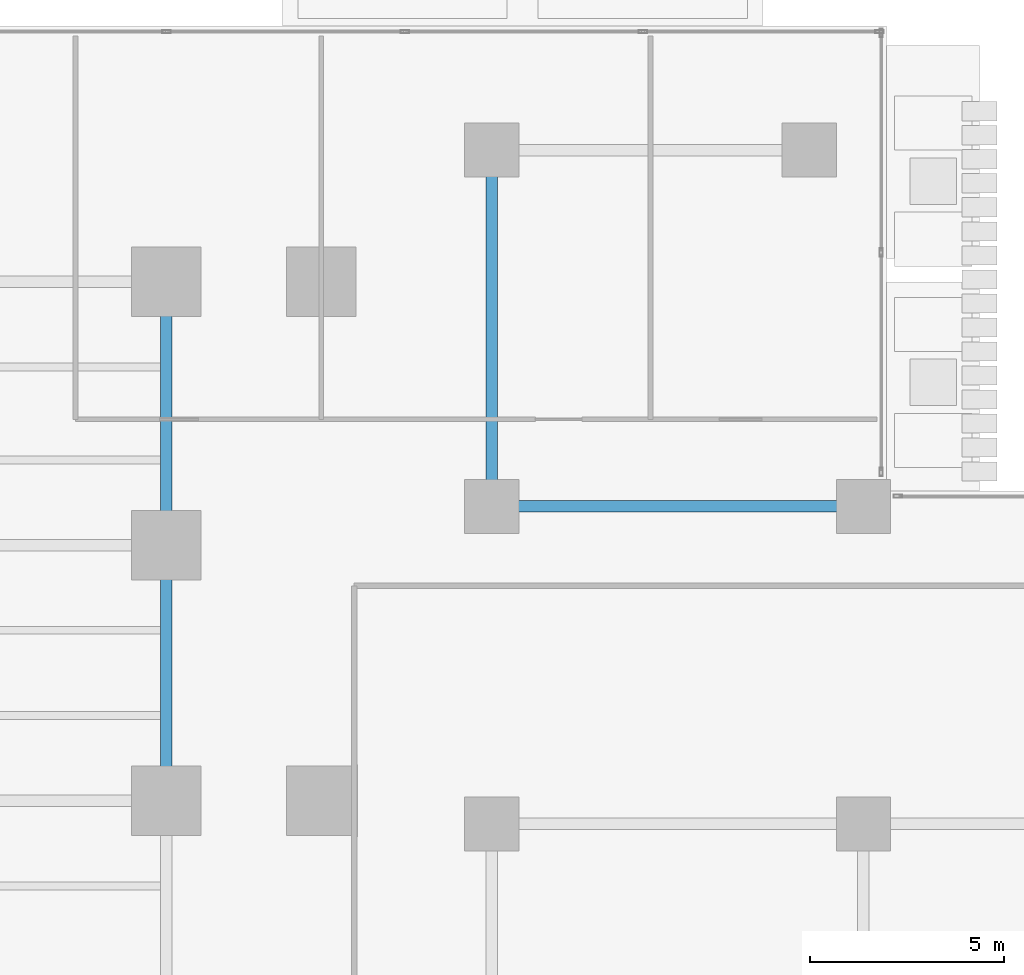
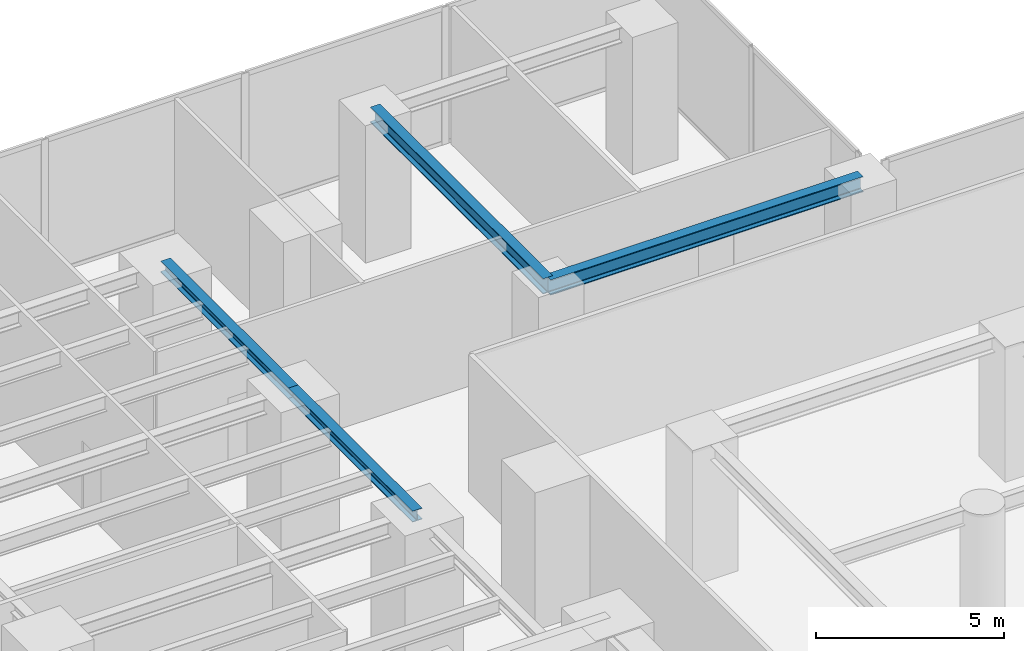
# One storey, part 2 of 17: 4 beams.
"""IFC4 building model written with IfcOpenShell, lengths in metres."""

from ifc_helpers import new_model, si_unit, direction, frame, origin, origin_2d, place, context, subcontext, project, spatial, i_section, extrude, material, material_profile, profile_set, type_object, element, save


model = new_model("IFC4")

# Units and contexts
model_context = context("Model", 3, precision=1e-05, world=origin(), true_north=direction((0.0, 1.0)))
body_context = subcontext(model_context, "Body", "Model", "MODEL_VIEW")
ifc_project = project(units=[si_unit("LENGTHUNIT", "METRE"), si_unit("AREAUNIT", "SQUARE_METRE"), si_unit("VOLUMEUNIT", "CUBIC_METRE"), si_unit("PLANEANGLEUNIT", "RADIAN"), si_unit("MASSUNIT", "GRAM", prefix="KILO")], contexts=[model_context])

# Site, building, storey
site_placement = place(None, origin())
site = spatial("IfcSite", under=ifc_project, at=site_placement, CompositionType="ELEMENT")
building_placement = place(site_placement, origin())
building = spatial("IfcBuilding", under=site, at=building_placement, Name="Kolvaren Waterfront Exchange", CompositionType="ELEMENT")
storey_placement = place(building_placement, frame((0.0, 0.0, 5.60009765625)))
storey = spatial("IfcBuildingStorey", under=building, at=storey_placement, Name="L02", CompositionType="ELEMENT", Elevation=5.60009765625)

# Beams
ifc_material = material(Name="Steel S355", Category="steel")
ifc_material_profile_1 = material_profile(ifc_material, i_section(OverallWidth=0.300048828125, OverallDepth=0.360107421875, WebThickness=0.012451171875, FlangeThickness=0.0224609375, FilletRadius=0.027099609375, at=origin_2d()), Name="HEB360")
ifc_profile_set_1 = profile_set([ifc_material_profile_1], Name="Steel S355")
beam_type_1 = type_object("IfcBeamType", Name="STR-BM-HEB360", PredefinedType="SPANDREL", material=ifc_profile_set_1)
beam_1_placement = place(storey_placement, frame((18.800048828125, 31.199951171875, 4.27978515625), z_axis=(0.0, 1.0, 0.0), x_axis=(-1.0, 0.0, 0.0)))
element("IfcBeam", 1, at=beam_1_placement, inside=storey, type_object=beam_type_1, Name="L02 north-arm edge beam 2", PredefinedType="SPANDREL", context=body_context, shape_type="SweptSolid", body=[
    extrude(i_section(OverallWidth=0.300048828125, OverallDepth=0.360107421875, WebThickness=0.012451171875, FlangeThickness=0.0224609375, FilletRadius=0.027099609375, at=origin_2d()), origin(), (0.0, 0.0, 1.0), 6.60009765625),
])
beam_2_placement = place(storey_placement, frame((18.800048828125, 37.800048828125, 4.27978515625), z_axis=(0.0, 1.0, 0.0), x_axis=(-1.0, 0.0, 0.0)))
element("IfcBeam", 2, at=beam_2_placement, inside=storey, type_object=beam_type_1, Name="L02 north-arm edge beam 3", PredefinedType="SPANDREL", context=body_context, shape_type="SweptSolid", body=[
    extrude(i_section(OverallWidth=0.300048828125, OverallDepth=0.360107421875, WebThickness=0.012451171875, FlangeThickness=0.0224609375, FilletRadius=0.027099609375, at=origin_2d()), origin(), (0.0, 0.0, 1.0), 6.800048828125),
])
ifc_material_profile_2 = material_profile(ifc_material, i_section(OverallWidth=0.300048828125, OverallDepth=0.5, WebThickness=0.014404296875, FlangeThickness=0.028076171875, FilletRadius=0.027099609375, at=origin_2d()), Name="HEB500")
ifc_profile_set_2 = profile_set([ifc_material_profile_2], Name="Steel S355")
beam_type_2 = type_object("IfcBeamType", Name="STR-BM-HEB500", PredefinedType="BEAM", material=ifc_profile_set_2)
beam_3_placement = place(storey_placement, frame((27.199951171875, 38.800048828125, 4.2099609375), z_axis=(1.0, 0.0, 0.0), x_axis=(0.0, 1.0, 0.0)))
element("IfcBeam", 3, at=beam_3_placement, inside=storey, type_object=beam_type_2, Name="L02 podium north girder 1", PredefinedType="BEAM", context=body_context, shape_type="SweptSolid", body=[
    extrude(i_section(OverallWidth=0.300048828125, OverallDepth=0.5, WebThickness=0.014404296875, FlangeThickness=0.028076171875, FilletRadius=0.027099609375, at=origin_2d()), origin(), (0.0, 0.0, 1.0), 9.60009765625),
])
beam_4_placement = place(storey_placement, frame((27.199951171875, 38.800048828125, 4.2099609375), z_axis=(0.0, 1.0, 0.0), x_axis=(-1.0, 0.0, 0.0)))
element("IfcBeam", 4, at=beam_4_placement, inside=storey, type_object=beam_type_2, Name="L02 podium west-link girder", PredefinedType="BEAM", context=body_context, shape_type="SweptSolid", body=[
    extrude(i_section(OverallWidth=0.300048828125, OverallDepth=0.5, WebThickness=0.014404296875, FlangeThickness=0.028076171875, FilletRadius=0.027099609375, at=origin_2d()), origin(), (0.0, 0.0, 1.0), 9.199951171875),
])

save(model, "model.ifc")
